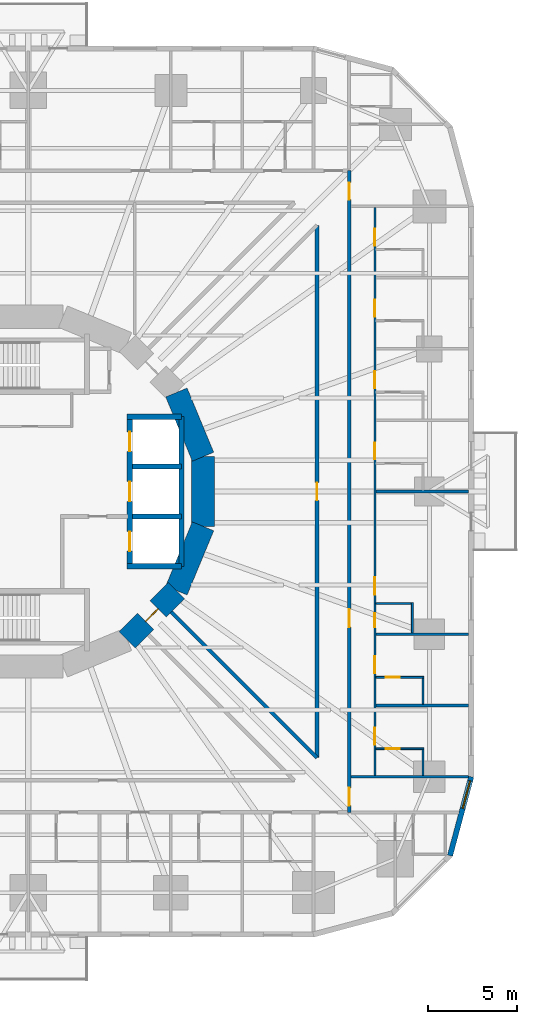
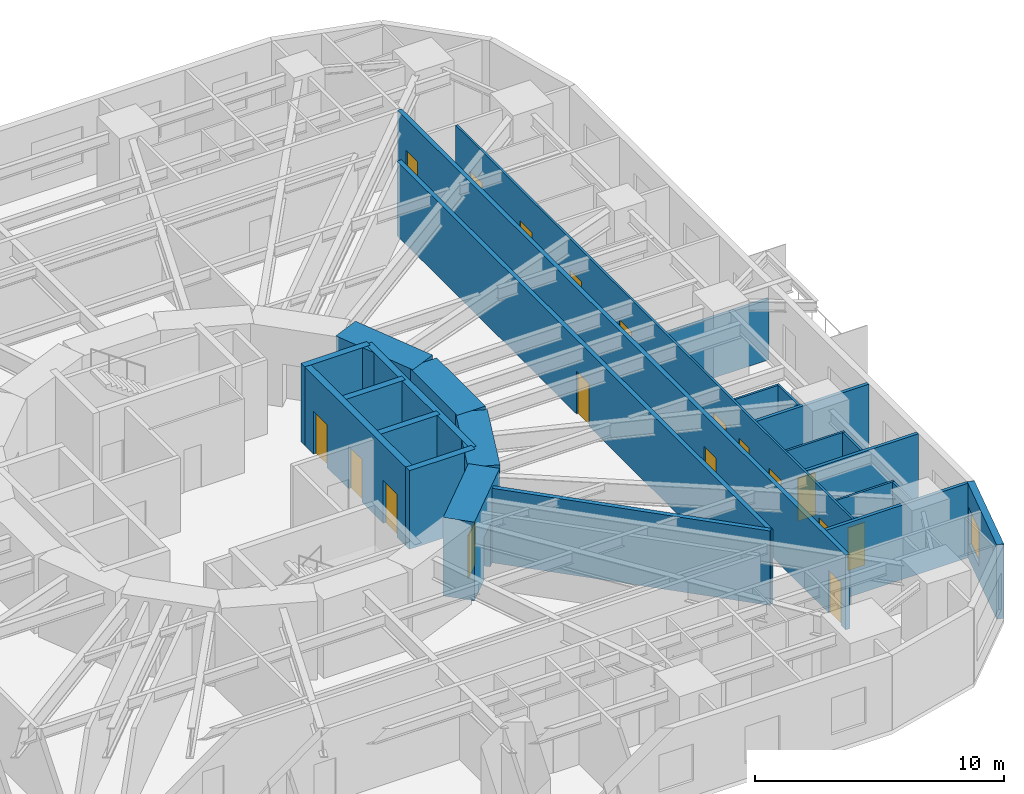
# One storey, part 8 of 14: 25 walls, 18 doors, 1 window, 19 openings.
"""IFC4 building model written with IfcOpenShell, lengths in metres."""

from ifc_helpers import new_model, si_unit, direction, frame, frame_2d, origin, place, context, subcontext, project, spatial, rectangle, extrude, material, layer, layer_set, type_object, element, fill, save


model = new_model("IFC4")

# Units and contexts
model_context = context("Model", 3, precision=1e-05, world=origin(), true_north=direction((0.0, 1.0)))
body_context = subcontext(model_context, "Body", "Model", "MODEL_VIEW")
ifc_project = project(units=[si_unit("LENGTHUNIT", "METRE"), si_unit("AREAUNIT", "SQUARE_METRE"), si_unit("VOLUMEUNIT", "CUBIC_METRE"), si_unit("PLANEANGLEUNIT", "RADIAN"), si_unit("MASSUNIT", "GRAM", prefix="KILO")], contexts=[model_context])

# Site, building, storey
site_placement = place(None, origin())
site = spatial("IfcSite", under=ifc_project, at=site_placement, CompositionType="ELEMENT")
building_placement = place(site_placement, origin())
building = spatial("IfcBuilding", under=site, at=building_placement, Name="Nakasero Lantern House", CompositionType="ELEMENT")
storey_placement = place(building_placement, frame((0.0, 0.0, 19.85009765625)))
storey = spatial("IfcBuildingStorey", under=building, at=storey_placement, Name="L04", CompositionType="ELEMENT", Elevation=19.85009765625)

# Wall, openings, doors
ifc_material_1 = material(Name="Blockwork", Category="masonry")
ifc_layer_1 = layer(ifc_material_1, 0.10009765625)
ifc_layer_set_1 = layer_set([ifc_layer_1], Name="Cluster hall wall 100")
wall_type_1 = type_object("IfcWallType", Name="Cluster hall wall 100", PredefinedType="PARTITIONING", material=ifc_layer_set_1)
wall_1_placement = place(storey_placement, frame((19.449951171875, -15.925048828125, 0.0), z_axis=(0.0, 0.0, 1.0), x_axis=(0.0, 1.0, 0.0)))
wall_1 = element("IfcWall", 1, at=wall_1_placement, inside=storey, type_object=wall_type_1, Name="Cluster hall wall L04 HW0-0", PredefinedType="PARTITIONING", context=body_context, shape_type="SweptSolid", body=[
    extrude(rectangle(XDim=31.85009765625, YDim=0.10009765625, at=frame_2d((15.925048828125, 0.0))), origin(), (0.0, 0.0, 1.0), 3.64990234375),
])
opening_1_placement = place(wall_1_placement, frame((10.125, 0.0, 0.0)))
opening_1 = element("IfcOpeningElement", 2, at=opening_1_placement, cuts=wall_1, Name="Opening D03", PredefinedType="OPENING", context=body_context, shape_type="SweptSolid", body=[
    extrude(rectangle(XDim=1.0, YDim=2.10009765625, at=frame_2d((0.5, 1.050048828125))), frame((0.0, 0.070068359375, 0.0), z_axis=(0.0, -1.0, 0.0), x_axis=(1.0, 0.0, 0.0)), (0.0, 0.0, 1.0), 0.14013671875),
])
opening_2_placement = place(wall_1_placement, frame((8.300048828125, 0.0, 0.0)))
opening_2 = element("IfcOpeningElement", 3, at=opening_2_placement, cuts=wall_1, Name="Opening D02", PredefinedType="OPENING", context=body_context, shape_type="SweptSolid", body=[
    extrude(rectangle(XDim=0.800048828125, YDim=2.10009765625, at=frame_2d((0.39990234375, 1.050048828125))), frame((0.0, 0.070068359375, 0.0), z_axis=(0.0, -1.0, 0.0), x_axis=(1.0, 0.0, 0.0)), (0.0, 0.0, 1.0), 0.14013671875),
])
opening_3_placement = place(wall_1_placement, frame((1.72509765625, 0.0, 0.0)))
opening_3 = element("IfcOpeningElement", 4, at=opening_3_placement, cuts=wall_1, Name="Opening D01", PredefinedType="OPENING", context=body_context, shape_type="SweptSolid", body=[
    extrude(rectangle(XDim=0.949951171875, YDim=2.10009765625, at=frame_2d((0.47509765625, 1.050048828125))), frame((0.0, 0.070068359375, 0.0), z_axis=(0.0, -1.0, 0.0), x_axis=(1.0, 0.0, 0.0)), (0.0, 0.0, 1.0), 0.14013671875),
])
opening_4_placement = place(wall_1_placement, frame((5.72509765625, 0.0, 0.0)))
opening_4 = element("IfcOpeningElement", 5, at=opening_4_placement, cuts=wall_1, Name="Opening D01", PredefinedType="OPENING", context=body_context, shape_type="SweptSolid", body=[
    extrude(rectangle(XDim=0.949951171875, YDim=2.10009765625, at=frame_2d((0.47509765625, 1.050048828125))), frame((0.0, 0.070068359375, 0.0), z_axis=(0.0, -1.0, 0.0), x_axis=(1.0, 0.0, 0.0)), (0.0, 0.0, 1.0), 0.14013671875),
])
opening_5_placement = place(wall_1_placement, frame((17.72509765625, 0.0, 0.0)))
opening_5 = element("IfcOpeningElement", 6, at=opening_5_placement, cuts=wall_1, Name="Opening D01", PredefinedType="OPENING", context=body_context, shape_type="SweptSolid", body=[
    extrude(rectangle(XDim=0.949951171875, YDim=2.10009765625, at=frame_2d((0.47509765625, 1.050048828125))), frame((0.0, 0.070068359375, 0.0), z_axis=(0.0, -1.0, 0.0), x_axis=(1.0, 0.0, 0.0)), (0.0, 0.0, 1.0), 0.14013671875),
])
opening_6_placement = place(wall_1_placement, frame((21.72509765625, 0.0, 0.0)))
opening_6 = element("IfcOpeningElement", 7, at=opening_6_placement, cuts=wall_1, Name="Opening D01", PredefinedType="OPENING", context=body_context, shape_type="SweptSolid", body=[
    extrude(rectangle(XDim=0.949951171875, YDim=2.10009765625, at=frame_2d((0.47509765625, 1.050048828125))), frame((0.0, 0.070068359375, 0.0), z_axis=(0.0, -1.0, 0.0), x_axis=(1.0, 0.0, 0.0)), (0.0, 0.0, 1.0), 0.14013671875),
])
opening_7_placement = place(wall_1_placement, frame((25.72509765625, 0.0, 0.0)))
opening_7 = element("IfcOpeningElement", 8, at=opening_7_placement, cuts=wall_1, Name="Opening D01", PredefinedType="OPENING", context=body_context, shape_type="SweptSolid", body=[
    extrude(rectangle(XDim=0.949951171875, YDim=2.10009765625, at=frame_2d((0.47509765625, 1.050048828125))), frame((0.0, 0.070068359375, 0.0), z_axis=(0.0, -1.0, 0.0), x_axis=(1.0, 0.0, 0.0)), (0.0, 0.0, 1.0), 0.14013671875),
])
opening_8_placement = place(wall_1_placement, frame((29.72509765625, 0.0, 0.0)))
opening_8 = element("IfcOpeningElement", 9, at=opening_8_placement, cuts=wall_1, Name="Opening D01", PredefinedType="OPENING", context=body_context, shape_type="SweptSolid", body=[
    extrude(rectangle(XDim=0.949951171875, YDim=2.10009765625, at=frame_2d((0.47509765625, 1.050048828125))), frame((0.0, 0.070068359375, 0.0), z_axis=(0.0, -1.0, 0.0), x_axis=(1.0, 0.0, 0.0)), (0.0, 0.0, 1.0), 0.14013671875),
])
ifc_material_2 = material(Name="Timber C24", Category="wood")
door_type_1 = type_object("IfcDoorType", Name="Bedroom door FD30S 950", OperationType="SINGLE_SWING_LEFT", PredefinedType="DOOR", material=ifc_material_2)
door_1_placement = place(opening_3_placement, origin())
door_1 = element("IfcDoor", 10, at=door_1_placement, inside=storey, type_object=door_type_1, Name="Door L04 D0-01", OperationType="SINGLE_SWING_LEFT", OverallHeight=2.10009765625, OverallWidth=0.949951171875, PredefinedType="DOOR", context=body_context, shape_type="SweptSolid", body=[
    extrude(rectangle(XDim=0.949951171875, YDim=2.10009765625, at=frame_2d((0.47509765625, 1.050048828125))), frame((0.0, 0.02490234375, 0.0), z_axis=(0.0, -1.0, 0.0), x_axis=(1.0, 0.0, 0.0)), (0.0, 0.0, 1.0), 0.050048828125),
])
fill(opening_3, door_1)
door_2_placement = place(opening_4_placement, origin())
door_2 = element("IfcDoor", 11, at=door_2_placement, inside=storey, type_object=door_type_1, Name="Door L04 D0-02", OperationType="SINGLE_SWING_LEFT", OverallHeight=2.10009765625, OverallWidth=0.949951171875, PredefinedType="DOOR", context=body_context, shape_type="SweptSolid", body=[
    extrude(rectangle(XDim=0.949951171875, YDim=2.10009765625, at=frame_2d((0.47509765625, 1.050048828125))), frame((0.0, 0.02490234375, 0.0), z_axis=(0.0, -1.0, 0.0), x_axis=(1.0, 0.0, 0.0)), (0.0, 0.0, 1.0), 0.050048828125),
])
fill(opening_4, door_2)
door_3_placement = place(opening_5_placement, origin())
door_3 = element("IfcDoor", 12, at=door_3_placement, inside=storey, type_object=door_type_1, Name="Door L04 D0-05", OperationType="SINGLE_SWING_RIGHT", OverallHeight=2.10009765625, OverallWidth=0.949951171875, PredefinedType="DOOR", context=body_context, shape_type="SweptSolid", body=[
    extrude(rectangle(XDim=0.949951171875, YDim=2.10009765625, at=frame_2d((0.47509765625, 1.050048828125))), frame((0.0, 0.02490234375, 0.0), z_axis=(0.0, -1.0, 0.0), x_axis=(1.0, 0.0, 0.0)), (0.0, 0.0, 1.0), 0.050048828125),
])
fill(opening_5, door_3)
door_4_placement = place(opening_6_placement, origin())
door_4 = element("IfcDoor", 13, at=door_4_placement, inside=storey, type_object=door_type_1, Name="Door L04 D0-06", OperationType="SINGLE_SWING_RIGHT", OverallHeight=2.10009765625, OverallWidth=0.949951171875, PredefinedType="DOOR", context=body_context, shape_type="SweptSolid", body=[
    extrude(rectangle(XDim=0.949951171875, YDim=2.10009765625, at=frame_2d((0.47509765625, 1.050048828125))), frame((0.0, 0.02490234375, 0.0), z_axis=(0.0, -1.0, 0.0), x_axis=(1.0, 0.0, 0.0)), (0.0, 0.0, 1.0), 0.050048828125),
])
fill(opening_6, door_4)
door_5_placement = place(opening_7_placement, origin())
door_5 = element("IfcDoor", 14, at=door_5_placement, inside=storey, type_object=door_type_1, Name="Door L04 D0-07", OperationType="SINGLE_SWING_RIGHT", OverallHeight=2.10009765625, OverallWidth=0.949951171875, PredefinedType="DOOR", context=body_context, shape_type="SweptSolid", body=[
    extrude(rectangle(XDim=0.949951171875, YDim=2.10009765625, at=frame_2d((0.47509765625, 1.050048828125))), frame((0.0, 0.02490234375, 0.0), z_axis=(0.0, -1.0, 0.0), x_axis=(1.0, 0.0, 0.0)), (0.0, 0.0, 1.0), 0.050048828125),
])
fill(opening_7, door_5)
door_6_placement = place(opening_8_placement, origin())
door_6 = element("IfcDoor", 15, at=door_6_placement, inside=storey, type_object=door_type_1, Name="Door L04 D0-08", OperationType="SINGLE_SWING_RIGHT", OverallHeight=2.10009765625, OverallWidth=0.949951171875, PredefinedType="DOOR", context=body_context, shape_type="SweptSolid", body=[
    extrude(rectangle(XDim=0.949951171875, YDim=2.10009765625, at=frame_2d((0.47509765625, 1.050048828125))), frame((0.0, 0.02490234375, 0.0), z_axis=(0.0, -1.0, 0.0), x_axis=(1.0, 0.0, 0.0)), (0.0, 0.0, 1.0), 0.050048828125),
])
fill(opening_8, door_6)
ifc_material_3 = material(Name="Timber C24", Category="wood")
door_type_2 = type_object("IfcDoorType", Name="En-suite door 800", OperationType="SINGLE_SWING_RIGHT", PredefinedType="DOOR", material=ifc_material_3)
door_7_placement = place(opening_2_placement, origin())
door_7 = element("IfcDoor", 16, at=door_7_placement, inside=storey, type_object=door_type_2, Name="Door L04 DSH0-0", OperationType="SINGLE_SWING_LEFT", OverallHeight=2.10009765625, OverallWidth=0.800048828125, PredefinedType="DOOR", context=body_context, shape_type="SweptSolid", body=[
    extrude(rectangle(XDim=0.800048828125, YDim=2.10009765625, at=frame_2d((0.39990234375, 1.050048828125))), frame((0.0, 0.02490234375, 0.0), z_axis=(0.0, -1.0, 0.0), x_axis=(1.0, 0.0, 0.0)), (0.0, 0.0, 1.0), 0.050048828125),
])
fill(opening_2, door_7)
ifc_material_4 = material(Name="Timber C24", Category="wood")
door_type_3 = type_object("IfcDoorType", Name="Lounge door FD30S 1000", OperationType="SINGLE_SWING_LEFT", PredefinedType="DOOR", material=ifc_material_4)
door_8_placement = place(opening_1_placement, origin())
door_8 = element("IfcDoor", 17, at=door_8_placement, inside=storey, type_object=door_type_3, Name="Door L04 DH0-0", OperationType="SINGLE_SWING_LEFT", OverallHeight=2.10009765625, OverallWidth=1.0, PredefinedType="DOOR", context=body_context, shape_type="SweptSolid", body=[
    extrude(rectangle(XDim=1.0, YDim=2.10009765625, at=frame_2d((0.5, 1.050048828125))), frame((0.0, 0.02490234375, 0.0), z_axis=(0.0, -1.0, 0.0), x_axis=(1.0, 0.0, 0.0)), (0.0, 0.0, 1.0), 0.050048828125),
])
fill(opening_1, door_8)

ifc_material_5 = material(Name="Concrete C50/60", Category="concrete")
ifc_layer_2 = layer(ifc_material_5, 0.300048828125)
ifc_layer_set_2 = layer_set([ifc_layer_2], Name="Core inner wall 300")
wall_type_2 = type_object("IfcWallType", Name="Core inner wall 300", PredefinedType="SHEAR", material=ifc_layer_set_2)
wall_2_placement = place(storey_placement, frame((5.699951171875, -4.199951171875, 0.0), z_axis=(0.0, 0.0, 1.0), x_axis=(0.0, 1.0, 0.0)))
wall_2 = element("IfcWall", 18, at=wall_2_placement, inside=storey, type_object=wall_type_2, Name="Core inner wall L04 LE", PredefinedType="SHEAR", context=body_context, shape_type="SweptSolid", body=[
    extrude(rectangle(XDim=8.39990234375, YDim=0.300048828125, at=frame_2d((4.199951171875, 0.0))), origin(), (0.0, 0.0, 1.0), 3.849853515625),
])
opening_9_placement = place(wall_2_placement, frame((0.85009765625, 0.0, 0.0)))
opening_9 = element("IfcOpeningElement", 19, at=opening_9_placement, cuts=wall_2, Name="Opening LD", PredefinedType="OPENING", context=body_context, shape_type="SweptSolid", body=[
    extrude(rectangle(XDim=1.10009765625, YDim=2.10009765625, at=frame_2d((0.550048828125, 1.050048828125))), frame((0.0, 0.169921875, 0.0), z_axis=(0.0, -1.0, 0.0), x_axis=(1.0, 0.0, 0.0)), (0.0, 0.0, 1.0), 0.340087890625),
])
opening_10_placement = place(wall_2_placement, frame((3.64990234375, 0.0, 0.0)))
opening_10 = element("IfcOpeningElement", 20, at=opening_10_placement, cuts=wall_2, Name="Opening LD", PredefinedType="OPENING", context=body_context, shape_type="SweptSolid", body=[
    extrude(rectangle(XDim=1.10009765625, YDim=2.10009765625, at=frame_2d((0.550048828125, 1.050048828125))), frame((0.0, 0.169921875, 0.0), z_axis=(0.0, -1.0, 0.0), x_axis=(1.0, 0.0, 0.0)), (0.0, 0.0, 1.0), 0.340087890625),
])
opening_11_placement = place(wall_2_placement, frame((6.449951171875, 0.0, 0.0)))
opening_11 = element("IfcOpeningElement", 21, at=opening_11_placement, cuts=wall_2, Name="Opening LD", PredefinedType="OPENING", context=body_context, shape_type="SweptSolid", body=[
    extrude(rectangle(XDim=1.10009765625, YDim=2.10009765625, at=frame_2d((0.550048828125, 1.050048828125))), frame((0.0, 0.169921875, 0.0), z_axis=(0.0, -1.0, 0.0), x_axis=(1.0, 0.0, 0.0)), (0.0, 0.0, 1.0), 0.340087890625),
])
ifc_material_6 = material(Name="Steel S355", Category="steel")
door_type_4 = type_object("IfcDoorType", Name="Lift landing door E120 1100", OperationType="SLIDING_TO_LEFT", PredefinedType="DOOR", material=ifc_material_6)
door_9_placement = place(opening_9_placement, origin())
door_9 = element("IfcDoor", 22, at=door_9_placement, inside=storey, type_object=door_type_4, Name="Lift landing door LE1", OperationType="SLIDING_TO_LEFT", OverallHeight=2.10009765625, OverallWidth=1.10009765625, PredefinedType="DOOR", context=body_context, shape_type="SweptSolid", body=[
    extrude(rectangle(XDim=1.10009765625, YDim=2.10009765625, at=frame_2d((0.550048828125, 1.050048828125))), frame((0.0, 0.02490234375, 0.0), z_axis=(0.0, -1.0, 0.0), x_axis=(1.0, 0.0, 0.0)), (0.0, 0.0, 1.0), 0.050048828125),
])
fill(opening_9, door_9)
door_10_placement = place(opening_10_placement, origin())
door_10 = element("IfcDoor", 23, at=door_10_placement, inside=storey, type_object=door_type_4, Name="Lift landing door LE2", OperationType="SLIDING_TO_LEFT", OverallHeight=2.10009765625, OverallWidth=1.10009765625, PredefinedType="DOOR", context=body_context, shape_type="SweptSolid", body=[
    extrude(rectangle(XDim=1.10009765625, YDim=2.10009765625, at=frame_2d((0.550048828125, 1.050048828125))), frame((0.0, 0.02490234375, 0.0), z_axis=(0.0, -1.0, 0.0), x_axis=(1.0, 0.0, 0.0)), (0.0, 0.0, 1.0), 0.050048828125),
])
fill(opening_10, door_10)
door_11_placement = place(opening_11_placement, origin())
door_11 = element("IfcDoor", 24, at=door_11_placement, inside=storey, type_object=door_type_4, Name="Lift landing door LE3", OperationType="SLIDING_TO_LEFT", OverallHeight=2.10009765625, OverallWidth=1.10009765625, PredefinedType="DOOR", context=body_context, shape_type="SweptSolid", body=[
    extrude(rectangle(XDim=1.10009765625, YDim=2.10009765625, at=frame_2d((0.550048828125, 1.050048828125))), frame((0.0, 0.02490234375, 0.0), z_axis=(0.0, -1.0, 0.0), x_axis=(1.0, 0.0, 0.0)), (0.0, 0.0, 1.0), 0.050048828125),
])
fill(opening_11, door_11)

# Walls
for number, where, z_axis, x_axis, name in (
    (25, (5.550048828125, 4.199951171875, 0.0), (0.0, 0.0, 1.0), (1.0, 0.0, 0.0), "Core inner wall L04 LEN"),
    (26, (5.550048828125, -4.199951171875, 0.0), (0.0, 0.0, 1.0), (1.0, 0.0, 0.0), "Core inner wall L04 LES"),
):
    element("IfcWall", number, at=place(storey_placement, frame(where, z_axis=z_axis, x_axis=x_axis)), inside=storey, type_object=wall_type_2, Name=name, PredefinedType="SHEAR", context=body_context, shape_type="SweptSolid", body=[
        extrude(rectangle(XDim=3.050048828125, YDim=0.300048828125, at=frame_2d((1.52490234375, 0.0))), origin(), (0.0, 0.0, 1.0), 3.849853515625),
    ])
wall_3_placement = place(storey_placement, frame((8.60009765625, -4.199951171875, 0.0), z_axis=(0.0, 0.0, 1.0), x_axis=(0.0, 1.0, 0.0)))
element("IfcWall", 27, at=wall_3_placement, inside=storey, type_object=wall_type_2, Name="Core inner wall L04 LEB", PredefinedType="SHEAR", context=body_context, shape_type="SweptSolid", body=[
    extrude(rectangle(XDim=8.39990234375, YDim=0.300048828125, at=frame_2d((4.199951171875, 0.0))), origin(), (0.0, 0.0, 1.0), 3.849853515625),
])
for number, where, z_axis, x_axis, name in (
    (28, (5.85009765625, -1.39990234375, 0.0), (0.0, 0.0, 1.0), (1.0, 0.0, 0.0), "Core inner wall L04 LE1"),
    (29, (5.85009765625, 1.39990234375, 0.0), (0.0, 0.0, 1.0), (1.0, 0.0, 0.0), "Core inner wall L04 LE2"),
):
    element("IfcWall", number, at=place(storey_placement, frame(where, z_axis=z_axis, x_axis=x_axis)), inside=storey, type_object=wall_type_2, Name=name, PredefinedType="SHEAR", context=body_context, shape_type="SweptSolid", body=[
        extrude(rectangle(XDim=2.75, YDim=0.300048828125, at=frame_2d((1.375, 0.0))), origin(), (0.0, 0.0, 1.0), 3.849853515625),
    ])
ifc_material_7 = material(Name="Concrete C50/60", Category="concrete")
ifc_layer_3 = layer(ifc_material_7, 1.300048828125)
ifc_layer_set_3 = layer_set([ifc_layer_3], Name="Core wall 1300")
wall_type_3 = type_object("IfcWallType", Name="Core wall 1300", PredefinedType="SHEAR", material=ifc_layer_set_3)
wall_4_placement = place(storey_placement, frame((9.807861328125, 1.950927734375, 0.0), z_axis=(0.0, 0.0, 1.0), x_axis=(-0.382690736062, 0.923876507187, 0.0)))
element("IfcWall", 30, at=wall_4_placement, inside=storey, type_object=wall_type_3, Name="Core wall L04 facet 1", PredefinedType="SHEAR", context=body_context, shape_type="SweptSolid", body=[
    extrude(rectangle(XDim=3.90185546875, YDim=1.300048828125, at=frame_2d((1.950927734375, 0.0))), origin(), (0.0, 0.0, 1.0), 3.849853515625),
])

# Wall, opening, door
wall_5_placement = place(storey_placement, frame((5.5556640625, -8.314697265625, 0.0), z_axis=(0.0, 0.0, 1.0), x_axis=(0.707106781187, 0.707106781187, 0.0)))
wall_5 = element("IfcWall", 31, at=wall_5_placement, inside=storey, type_object=wall_type_3, Name="Core wall L04 facet 14", PredefinedType="SHEAR", context=body_context, shape_type="SweptSolid", body=[
    extrude(rectangle(XDim=3.90185546875, YDim=1.300048828125, at=frame_2d((1.950927734375, 0.0))), origin(), (0.0, 0.0, 1.0), 3.849853515625),
])
opening_12_placement = place(wall_5_placement, frame((1.450927734375, 0.0, 0.0)))
opening_12 = element("IfcOpeningElement", 32, at=opening_12_placement, cuts=wall_5, Name="Opening D05", PredefinedType="OPENING", context=body_context, shape_type="SweptSolid", body=[
    extrude(rectangle(XDim=1.0, YDim=2.10009765625, at=frame_2d((0.5, 1.050048828125))), frame((0.0, 0.669921875, 0.0), z_axis=(0.0, -1.0, 0.0), x_axis=(1.0, 0.0, 0.0)), (0.0, 0.0, 1.0), 1.340087890625),
])
ifc_material_8 = material(Name="Timber C24", Category="wood")
door_type_5 = type_object("IfcDoorType", Name="Core door FD60S 1000", OperationType="SINGLE_SWING_LEFT", PredefinedType="DOOR", material=ifc_material_8)
door_12_placement = place(opening_12_placement, origin())
door_12 = element("IfcDoor", 33, at=door_12_placement, inside=storey, type_object=door_type_5, Name="Door L04 D-CORE14", OperationType="SINGLE_SWING_LEFT", OverallHeight=2.10009765625, OverallWidth=1.0, PredefinedType="DOOR", context=body_context, shape_type="SweptSolid", body=[
    extrude(rectangle(XDim=1.0, YDim=2.10009765625, at=frame_2d((0.5, 1.050048828125))), frame((0.0, 0.02490234375, 0.0), z_axis=(0.0, -1.0, 0.0), x_axis=(1.0, 0.0, 0.0)), (0.0, 0.0, 1.0), 0.050048828125),
])
fill(opening_12, door_12)

# Walls
for number, where, z_axis, x_axis, name in (
    (34, (8.314697265625, -5.5556640625, 0.0), (0.0, 0.0, 1.0), (0.382690736062, 0.923876507187, 0.0), "Core wall L04 facet 15"),
    (35, (9.807861328125, -1.950927734375, 0.0), (0.0, 0.0, 1.0), (0.0, 1.0, 0.0), "Core wall L04 facet 16"),
):
    element("IfcWall", number, at=place(storey_placement, frame(where, z_axis=z_axis, x_axis=x_axis)), inside=storey, type_object=wall_type_3, Name=name, PredefinedType="SHEAR", context=body_context, shape_type="SweptSolid", body=[
        extrude(rectangle(XDim=3.90185546875, YDim=1.300048828125, at=frame_2d((1.950927734375, 0.0))), origin(), (0.0, 0.0, 1.0), 3.849853515625),
    ])

# Wall, openings, doors
ifc_material_9 = material(Name="Blockwork", Category="masonry")
ifc_layer_4 = layer(ifc_material_9, 0.199951171875)
ifc_layer_set_4 = layer_set([ifc_layer_4], Name="Corridor wall 200")
wall_type_4 = type_object("IfcWallType", Name="Corridor wall 200", PredefinedType="PARTITIONING", material=ifc_layer_set_4)
wall_6_placement = place(storey_placement, frame((18.0, -18.0, 0.0), z_axis=(0.0, 0.0, 1.0), x_axis=(0.0, 1.0, 0.0)))
wall_6 = element("IfcWall", 36, at=wall_6_placement, inside=storey, type_object=wall_type_4, Name="Corridor wall L04 CW0", PredefinedType="PARTITIONING", context=body_context, shape_type="SweptSolid", body=[
    extrude(rectangle(XDim=36.0, YDim=0.199951171875, at=frame_2d((18.0, 0.0))), origin(), (0.0, 0.0, 1.0), 3.64990234375),
])
opening_13_placement = place(wall_6_placement, frame((10.39990234375, 0.0, 0.0)))
opening_13 = element("IfcOpeningElement", 37, at=opening_13_placement, cuts=wall_6, Name="Opening D14", PredefinedType="OPENING", context=body_context, shape_type="SweptSolid", body=[
    extrude(rectangle(XDim=1.0, YDim=2.10009765625, at=frame_2d((0.5, 1.050048828125))), frame((0.0, 0.119873046875, 0.0), z_axis=(0.0, -1.0, 0.0), x_axis=(1.0, 0.0, 0.0)), (0.0, 0.0, 1.0), 0.239990234375),
])
opening_14_placement = place(wall_6_placement, frame((0.375, 0.0, 0.0)))
opening_14 = element("IfcOpeningElement", 38, at=opening_14_placement, cuts=wall_6, Name="Opening D07", PredefinedType="OPENING", context=body_context, shape_type="SweptSolid", body=[
    extrude(rectangle(XDim=1.0, YDim=2.10009765625, at=frame_2d((0.5, 1.050048828125))), frame((0.0, 0.119873046875, 0.0), z_axis=(0.0, -1.0, 0.0), x_axis=(1.0, 0.0, 0.0)), (0.0, 0.0, 1.0), 0.239990234375),
])
opening_15_placement = place(wall_6_placement, frame((34.375, 0.0, 0.0)))
opening_15 = element("IfcOpeningElement", 39, at=opening_15_placement, cuts=wall_6, Name="Opening D01", PredefinedType="OPENING", context=body_context, shape_type="SweptSolid", body=[
    extrude(rectangle(XDim=0.949951171875, YDim=2.10009765625, at=frame_2d((0.47509765625, 1.050048828125))), frame((0.0, 0.119873046875, 0.0), z_axis=(0.0, -1.0, 0.0), x_axis=(1.0, 0.0, 0.0)), (0.0, 0.0, 1.0), 0.239990234375),
])
door_13_placement = place(opening_15_placement, origin())
door_13 = element("IfcDoor", 40, at=door_13_placement, inside=storey, type_object=door_type_1, Name="Door L04 D0-09", OperationType="SINGLE_SWING_RIGHT", OverallHeight=2.10009765625, OverallWidth=0.949951171875, PredefinedType="DOOR", context=body_context, shape_type="SweptSolid", body=[
    extrude(rectangle(XDim=0.949951171875, YDim=2.10009765625, at=frame_2d((0.47509765625, 1.050048828125))), frame((0.0, 0.02490234375, 0.0), z_axis=(0.0, -1.0, 0.0), x_axis=(1.0, 0.0, 0.0)), (0.0, 0.0, 1.0), 0.050048828125),
])
fill(opening_15, door_13)
ifc_material_10 = material(Name="Timber C24", Category="wood")
door_type_6 = type_object("IfcDoorType", Name="Cluster entrance door FD30S 1000", OperationType="SINGLE_SWING_LEFT", PredefinedType="DOOR", material=ifc_material_10)
door_14_placement = place(opening_13_placement, origin())
door_14 = element("IfcDoor", 41, at=door_14_placement, inside=storey, type_object=door_type_6, Name="Door L04 DF0-0", OperationType="SINGLE_SWING_LEFT", OverallHeight=2.10009765625, OverallWidth=1.0, PredefinedType="DOOR", context=body_context, shape_type="SweptSolid", body=[
    extrude(rectangle(XDim=1.0, YDim=2.10009765625, at=frame_2d((0.5, 1.050048828125))), frame((0.0, 0.02490234375, 0.0), z_axis=(0.0, -1.0, 0.0), x_axis=(1.0, 0.0, 0.0)), (0.0, 0.0, 1.0), 0.050048828125),
])
fill(opening_13, door_14)
ifc_material_11 = material(Name="Timber C24", Category="wood")
door_type_7 = type_object("IfcDoorType", Name="Room door FD30S 1000", OperationType="SINGLE_SWING_LEFT", PredefinedType="DOOR", material=ifc_material_11)
door_15_placement = place(opening_14_placement, origin())
door_15 = element("IfcDoor", 42, at=door_15_placement, inside=storey, type_object=door_type_7, Name="Door L04 D0-00", OperationType="SINGLE_SWING_LEFT", OverallHeight=2.10009765625, OverallWidth=1.0, PredefinedType="DOOR", context=body_context, shape_type="SweptSolid", body=[
    extrude(rectangle(XDim=1.0, YDim=2.10009765625, at=frame_2d((0.5, 1.050048828125))), frame((0.0, 0.02490234375, 0.0), z_axis=(0.0, -1.0, 0.0), x_axis=(1.0, 0.0, 0.0)), (0.0, 0.0, 1.0), 0.050048828125),
])
fill(opening_14, door_15)

# Wall, opening, door
wall_7_placement = place(storey_placement, frame((16.199951171875, -14.92724609375, 0.0), z_axis=(0.0, 0.0, 1.0), x_axis=(0.0, 1.0, 0.0)))
wall_7 = element("IfcWall", 43, at=wall_7_placement, inside=storey, type_object=wall_type_4, Name="Corridor wall L04 IW0-0", PredefinedType="PARTITIONING", context=body_context, shape_type="SweptSolid", body=[
    extrude(rectangle(XDim=29.8544921875, YDim=0.199951171875, at=frame_2d((14.92724609375, 0.0))), origin(), (0.0, 0.0, 1.0), 3.64990234375),
])
opening_16_placement = place(wall_7_placement, frame((14.42724609375, 0.0, 0.0)))
opening_16 = element("IfcOpeningElement", 44, at=opening_16_placement, cuts=wall_7, Name="Opening D07", PredefinedType="OPENING", context=body_context, shape_type="SweptSolid", body=[
    extrude(rectangle(XDim=1.0, YDim=2.10009765625, at=frame_2d((0.5, 1.050048828125))), frame((0.0, 0.119873046875, 0.0), z_axis=(0.0, -1.0, 0.0), x_axis=(1.0, 0.0, 0.0)), (0.0, 0.0, 1.0), 0.239990234375),
])
door_16_placement = place(opening_16_placement, origin())
door_16 = element("IfcDoor", 45, at=door_16_placement, inside=storey, type_object=door_type_7, Name="Door L04 DI1", OperationType="SINGLE_SWING_LEFT", OverallHeight=2.10009765625, OverallWidth=1.0, PredefinedType="DOOR", context=body_context, shape_type="SweptSolid", body=[
    extrude(rectangle(XDim=1.0, YDim=2.10009765625, at=frame_2d((0.5, 1.050048828125))), frame((0.0, 0.02490234375, 0.0), z_axis=(0.0, -1.0, 0.0), x_axis=(1.0, 0.0, 0.0)), (0.0, 0.0, 1.0), 0.050048828125),
])
fill(opening_16, door_16)

# Walls
wall_8_placement = place(storey_placement, frame((8.03125, -6.758544921875, 0.0), z_axis=(0.0, 0.0, 1.0), x_axis=(0.707106781187, -0.707106781187, 0.0)))
element("IfcWall", 46, at=wall_8_placement, inside=storey, type_object=wall_type_4, Name="Corridor wall L04 PS14a", PredefinedType="PARTITIONING", context=body_context, shape_type="SweptSolid", body=[
    extrude(rectangle(XDim=11.55224609375, YDim=0.199951171875, at=frame_2d((5.776123046875, 0.0))), origin(), (0.0, 0.0, 1.0), 3.64990234375),
])
ifc_material_12 = material(Name="Blockwork", Category="masonry")
ifc_layer_5 = layer(ifc_material_12, 0.10009765625)
ifc_layer_set_5 = layer_set([ifc_layer_5], Name="En-suite wall 100")
wall_type_5 = type_object("IfcWallType", Name="En-suite wall 100", PredefinedType="PARTITIONING", material=ifc_layer_set_5)
wall_9_placement = place(storey_placement, frame((19.5, -6.27490234375, 0.0), z_axis=(0.0, 0.0, 1.0), x_axis=(1.0, 0.0, 0.0)))
element("IfcWall", 47, at=wall_9_placement, inside=storey, type_object=wall_type_5, Name="En-suite wall L04 SS0-0", PredefinedType="PARTITIONING", context=body_context, shape_type="SweptSolid", body=[
    extrude(rectangle(XDim=2.10009765625, YDim=0.10009765625, at=frame_2d((1.050048828125, 0.0))), origin(), (0.0, 0.0, 1.0), 3.64990234375),
])
wall_10_placement = place(storey_placement, frame((21.550048828125, -7.925048828125, 0.0), z_axis=(0.0, 0.0, 1.0), x_axis=(0.0, 1.0, 0.0)))
element("IfcWall", 48, at=wall_10_placement, inside=storey, type_object=wall_type_5, Name="En-suite wall L04 SE0-0", PredefinedType="PARTITIONING", context=body_context, shape_type="SweptSolid", body=[
    extrude(rectangle(XDim=1.699951171875, YDim=0.10009765625, at=frame_2d((0.85009765625, 0.0))), origin(), (0.0, 0.0, 1.0), 3.64990234375),
])

# Wall, opening, door
wall_11_placement = place(storey_placement, frame((19.5, -14.425048828125, 0.0), z_axis=(0.0, 0.0, 1.0), x_axis=(1.0, 0.0, 0.0)))
wall_11 = element("IfcWall", 49, at=wall_11_placement, inside=storey, type_object=wall_type_5, Name="En-suite wall L04 ES0-01", PredefinedType="PARTITIONING", context=body_context, shape_type="SweptSolid", body=[
    extrude(rectangle(XDim=2.699951171875, YDim=0.10009765625, at=frame_2d((1.35009765625, 0.0))), origin(), (0.0, 0.0, 1.0), 3.64990234375),
])
opening_17_placement = place(wall_11_placement, frame((0.550048828125, 0.0, 0.0)))
opening_17 = element("IfcOpeningElement", 50, at=opening_17_placement, cuts=wall_11, Name="Opening D02", PredefinedType="OPENING", context=body_context, shape_type="SweptSolid", body=[
    extrude(rectangle(XDim=0.800048828125, YDim=2.10009765625, at=frame_2d((0.39990234375, 1.050048828125))), frame((0.0, 0.070068359375, 0.0), z_axis=(0.0, -1.0, 0.0), x_axis=(1.0, 0.0, 0.0)), (0.0, 0.0, 1.0), 0.14013671875),
])
door_17_placement = place(opening_17_placement, origin())
door_17 = element("IfcDoor", 51, at=door_17_placement, inside=storey, type_object=door_type_2, Name="Door L04 DE0-01", OperationType="SINGLE_SWING_LEFT", OverallHeight=2.10009765625, OverallWidth=0.800048828125, PredefinedType="DOOR", context=body_context, shape_type="SweptSolid", body=[
    extrude(rectangle(XDim=0.800048828125, YDim=2.10009765625, at=frame_2d((0.39990234375, 1.050048828125))), frame((0.0, 0.02490234375, 0.0), z_axis=(0.0, -1.0, 0.0), x_axis=(1.0, 0.0, 0.0)), (0.0, 0.0, 1.0), 0.050048828125),
])
fill(opening_17, door_17)

# Wall
wall_12_placement = place(storey_placement, frame((22.14990234375, -15.925048828125, 0.0), z_axis=(0.0, 0.0, 1.0), x_axis=(0.0, 1.0, 0.0)))
element("IfcWall", 52, at=wall_12_placement, inside=storey, type_object=wall_type_5, Name="En-suite wall L04 EE0-01", PredefinedType="PARTITIONING", context=body_context, shape_type="SweptSolid", body=[
    extrude(rectangle(XDim=1.449951171875, YDim=0.10009765625, at=frame_2d((0.72509765625, 0.0))), origin(), (0.0, 0.0, 1.0), 3.64990234375),
])

# Wall, opening, door
wall_13_placement = place(storey_placement, frame((19.5, -10.425048828125, 0.0), z_axis=(0.0, 0.0, 1.0), x_axis=(1.0, 0.0, 0.0)))
wall_13 = element("IfcWall", 53, at=wall_13_placement, inside=storey, type_object=wall_type_5, Name="En-suite wall L04 ES0-02", PredefinedType="PARTITIONING", context=body_context, shape_type="SweptSolid", body=[
    extrude(rectangle(XDim=2.699951171875, YDim=0.10009765625, at=frame_2d((1.35009765625, 0.0))), origin(), (0.0, 0.0, 1.0), 3.64990234375),
])
opening_18_placement = place(wall_13_placement, frame((0.550048828125, 0.0, 0.0)))
opening_18 = element("IfcOpeningElement", 54, at=opening_18_placement, cuts=wall_13, Name="Opening D02", PredefinedType="OPENING", context=body_context, shape_type="SweptSolid", body=[
    extrude(rectangle(XDim=0.800048828125, YDim=2.10009765625, at=frame_2d((0.39990234375, 1.050048828125))), frame((0.0, 0.070068359375, 0.0), z_axis=(0.0, -1.0, 0.0), x_axis=(1.0, 0.0, 0.0)), (0.0, 0.0, 1.0), 0.14013671875),
])
door_18_placement = place(opening_18_placement, origin())
door_18 = element("IfcDoor", 55, at=door_18_placement, inside=storey, type_object=door_type_2, Name="Door L04 DE0-02", OperationType="SINGLE_SWING_LEFT", OverallHeight=2.10009765625, OverallWidth=0.800048828125, PredefinedType="DOOR", context=body_context, shape_type="SweptSolid", body=[
    extrude(rectangle(XDim=0.800048828125, YDim=2.10009765625, at=frame_2d((0.39990234375, 1.050048828125))), frame((0.0, 0.02490234375, 0.0), z_axis=(0.0, -1.0, 0.0), x_axis=(1.0, 0.0, 0.0)), (0.0, 0.0, 1.0), 0.050048828125),
])
fill(opening_18, door_18)

# Wall
wall_14_placement = place(storey_placement, frame((22.14990234375, -11.925048828125, 0.0), z_axis=(0.0, 0.0, 1.0), x_axis=(0.0, 1.0, 0.0)))
element("IfcWall", 56, at=wall_14_placement, inside=storey, type_object=wall_type_5, Name="En-suite wall L04 EE0-02", PredefinedType="PARTITIONING", context=body_context, shape_type="SweptSolid", body=[
    extrude(rectangle(XDim=1.449951171875, YDim=0.10009765625, at=frame_2d((0.72509765625, 0.0))), origin(), (0.0, 0.0, 1.0), 3.64990234375),
])

# Wall, opening, window
ifc_material_13 = material(Name="Aluminium rainscreen on blockwork", Category="masonry")
ifc_layer_6 = layer(ifc_material_13, 0.300048828125)
ifc_layer_set_6 = layer_set([ifc_layer_6], Name="Facade wall 300")
wall_type_6 = type_object("IfcWallType", Name="Facade wall 300", PredefinedType="SOLIDWALL", material=ifc_layer_set_6)
wall_15_placement = place(storey_placement, frame((23.664306640625, -20.425048828125, 0.0), z_axis=(0.0, 0.0, 1.0), x_axis=(0.258839972501, 0.965920218567, 0.0)))
wall_15 = element("IfcWall", 57, at=wall_15_placement, inside=storey, type_object=wall_type_6, Name="Facade wall L04 FW3C3", PredefinedType="SOLIDWALL", context=body_context, shape_type="SweptSolid", body=[
    extrude(rectangle(XDim=4.5810546875, YDim=0.300048828125, at=frame_2d((2.29052734375, 0.0))), origin(), (0.0, 0.0, 1.0), 3.64990234375),
])
opening_19_placement = place(wall_15_placement, frame((2.74609375, 0.0, 0.75)))
opening_19 = element("IfcOpeningElement", 58, at=opening_19_placement, cuts=wall_15, Name="Opening W01", PredefinedType="OPENING", context=body_context, shape_type="SweptSolid", body=[
    extrude(rectangle(XDim=1.60009765625, YDim=1.800048828125, at=frame_2d((0.800048828125, 0.89990234375))), frame((0.0, 0.169921875, 0.0), z_axis=(0.0, -1.0, 0.0), x_axis=(1.0, 0.0, 0.0)), (0.0, 0.0, 1.0), 0.340087890625),
])
ifc_material_14 = material(Name="Aluminium 6063-T6 and glass", Category="aluminium")
window_type = type_object("IfcWindowType", Name="Bedroom window 1600x1800", PartitioningType="SINGLE_PANEL", PredefinedType="WINDOW", material=ifc_material_14)
window_placement = place(opening_19_placement, origin())
window = element("IfcWindow", 59, at=window_placement, inside=storey, type_object=window_type, Name="Window L04 WN0-00", OverallHeight=1.800048828125, OverallWidth=1.60009765625, PartitioningType="SINGLE_PANEL", PredefinedType="WINDOW", context=body_context, shape_type="SweptSolid", body=[
    extrude(rectangle(XDim=1.60009765625, YDim=1.800048828125, at=frame_2d((0.800048828125, 0.89990234375))), frame((0.0, 0.030029296875, 0.0), z_axis=(0.0, -1.0, 0.0), x_axis=(1.0, 0.0, 0.0)), (0.0, 0.0, 1.0), 0.06005859375),
])
fill(opening_19, window)

# Walls
ifc_material_15 = material(Name="Blockwork", Category="masonry")
ifc_layer_7 = layer(ifc_material_15, 0.14990234375)
ifc_layer_set_7 = layer_set([ifc_layer_7], Name="Party wall 150")
wall_type_7 = type_object("IfcWallType", Name="Party wall 150", PredefinedType="PARTITIONING", material=ifc_layer_set_7)
wall_16_placement = place(storey_placement, frame((18.10009765625, -16.0, 0.0), z_axis=(0.0, 0.0, 1.0), x_axis=(1.0, 0.0, 0.0)))
element("IfcWall", 60, at=wall_16_placement, inside=storey, type_object=wall_type_7, Name="Party wall L04 PW0-01", PredefinedType="PARTITIONING", context=body_context, shape_type="SweptSolid", body=[
    extrude(rectangle(XDim=6.58935546875, YDim=0.14990234375, at=frame_2d((3.294677734375, 0.0))), origin(), (0.0, 0.0, 1.0), 3.64990234375),
])
for number, where, z_axis, x_axis, name in (
    (61, (19.5, -12.0, 0.0), (0.0, 0.0, 1.0), (1.0, 0.0, 0.0), "Party wall L04 PW0-02"),
    (62, (19.5, -8.0, 0.0), (0.0, 0.0, 1.0), (1.0, 0.0, 0.0), "Party wall L04 PW0-03"),
):
    element("IfcWall", number, at=place(storey_placement, frame(where, z_axis=z_axis, x_axis=x_axis)), inside=storey, type_object=wall_type_7, Name=name, PredefinedType="PARTITIONING", context=body_context, shape_type="SweptSolid", body=[
        extrude(rectangle(XDim=5.199951171875, YDim=0.14990234375, at=frame_2d((2.60009765625, 0.0))), origin(), (0.0, 0.0, 1.0), 3.64990234375),
    ])
wall_17_placement = place(storey_placement, frame((19.5, 0.0, 0.0), z_axis=(0.0, 0.0, 1.0), x_axis=(1.0, 0.0, 0.0)))
element("IfcWall", 63, at=wall_17_placement, inside=storey, type_object=wall_type_7, Name="Party wall L04 PW0-05", PredefinedType="PARTITIONING", context=body_context, shape_type="SweptSolid", body=[
    extrude(rectangle(XDim=5.199951171875, YDim=0.14990234375, at=frame_2d((2.60009765625, 0.0))), origin(), (0.0, 0.0, 1.0), 2.95703125),
])

save(model, "model.ifc")
